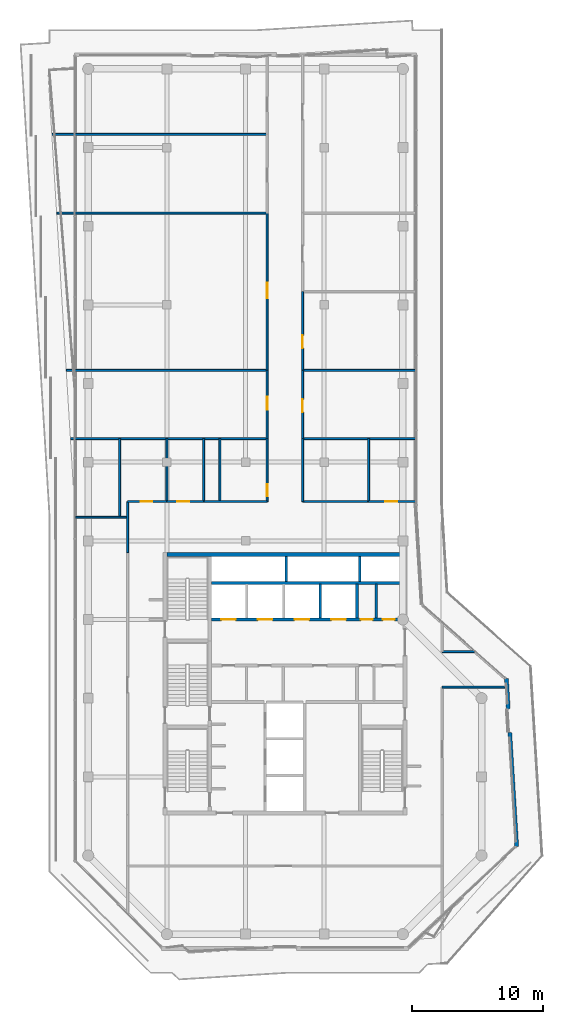
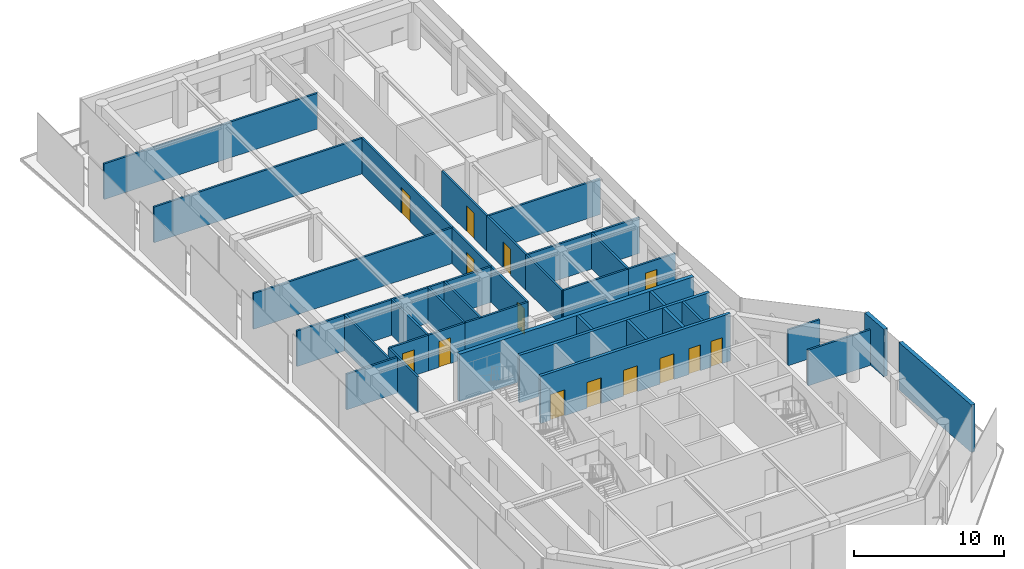
# One storey, part 18 of 21: 36 walls, 14 doors, 14 openings.
"""IFC4 building model written with IfcOpenShell, lengths in metres."""

from ifc_helpers import new_model, si_unit, direction, frame, frame_2d, origin, place, context, subcontext, project, spatial, rectangle, extrude, material, layer, layer_set, type_object, element, fill, save


model = new_model("IFC4")

# Units and contexts
model_context = context("Model", 3, precision=1e-05, world=origin(), true_north=direction((0.0, 1.0)))
body_context = subcontext(model_context, "Body", "Model", "MODEL_VIEW")
ifc_project = project(units=[si_unit("LENGTHUNIT", "METRE"), si_unit("AREAUNIT", "SQUARE_METRE"), si_unit("VOLUMEUNIT", "CUBIC_METRE"), si_unit("PLANEANGLEUNIT", "RADIAN"), si_unit("MASSUNIT", "GRAM", prefix="KILO")], contexts=[model_context])

# Site, building, storey
site_placement = place(None, origin())
site = spatial("IfcSite", under=ifc_project, at=site_placement, CompositionType="ELEMENT")
building_placement = place(site_placement, origin())
building = spatial("IfcBuilding", under=site, at=building_placement, Name="Welwitschia Terrace Campus", CompositionType="ELEMENT")
storey_placement = place(building_placement, frame((0.0, 0.0, 302.0)))
storey = spatial("IfcBuildingStorey", under=building, at=storey_placement, Name="L67", CompositionType="ELEMENT", Elevation=302.0)

# Wall
ifc_material_1 = material(Name="Concrete C32/40", Category="concrete")
ifc_layer_1 = layer(ifc_material_1, 0.175048828125)
ifc_layer_set_1 = layer_set([ifc_layer_1], Name="Concrete C32/40")
wall_type_1 = type_object("IfcWallType", Name="Core partition 175 Concrete C32/40", PredefinedType="PARTITIONING", material=ifc_layer_set_1)
wall_1_placement = place(storey_placement, frame((21.9599609375, 20.10009765625, 0.0), z_axis=(0.0, 0.0, 1.0), x_axis=(0.0, 1.0, 0.0)))
element("IfcWall", 1, at=wall_1_placement, inside=storey, type_object=wall_type_1, Name="Core partition", PredefinedType="PARTITIONING", context=body_context, shape_type="SweptSolid", body=[
    extrude(rectangle(XDim=2.599853515625, YDim=0.175048828125, at=frame_2d((1.2998046875, 0.0))), origin(), (0.0, 0.0, 1.0), 3.85009765625),
])

# Wall, openings, doors
ifc_material_2 = material(Name="Concrete C32/40", Category="concrete")
ifc_layer_2 = layer(ifc_material_2, 0.22509765625)
ifc_layer_set_2 = layer_set([ifc_layer_2], Name="Concrete C32/40")
wall_type_2 = type_object("IfcWallType", Name="Core partition 225 Concrete C32/40", PredefinedType="PARTITIONING", material=ifc_layer_set_2)
wall_2_placement = place(storey_placement, frame((24.0, 20.0, 0.0), z_axis=(0.0, 0.0, 1.0), x_axis=(-1.0, 0.0, 0.0)))
wall_2 = element("IfcWall", 2, at=wall_2_placement, inside=storey, type_object=wall_type_2, Name="Shaft wall", PredefinedType="PARTITIONING", context=body_context, shape_type="SweptSolid", body=[
    extrude(rectangle(XDim=14.60009765625, YDim=0.22509765625, at=frame_2d((7.300048828125, 0.0))), origin(), (0.0, 0.0, 1.0), 3.85009765625),
])
opening_1_placement = place(wall_2_placement, frame((12.75, 0.0, 0.0)))
opening_1 = element("IfcOpeningElement", 3, at=opening_1_placement, cuts=wall_2, Name="Opening LD", PredefinedType="OPENING", context=body_context, shape_type="SweptSolid", body=[
    extrude(rectangle(XDim=1.10009765625, YDim=2.10009765625, at=frame_2d((0.550048828125, 1.050048828125))), frame((0.0, 0.12255859375, 0.0), z_axis=(0.0, -1.0, 0.0), x_axis=(1.0, 0.0, 0.0)), (0.0, 0.0, 1.0), 0.2451171875),
])
opening_2_placement = place(wall_2_placement, frame((9.949951171875, 0.0, 0.0)))
opening_2 = element("IfcOpeningElement", 4, at=opening_2_placement, cuts=wall_2, Name="Opening LD", PredefinedType="OPENING", context=body_context, shape_type="SweptSolid", body=[
    extrude(rectangle(XDim=1.10009765625, YDim=2.10009765625, at=frame_2d((0.550048828125, 1.050048828125))), frame((0.0, 0.12255859375, 0.0), z_axis=(0.0, -1.0, 0.0), x_axis=(1.0, 0.0, 0.0)), (0.0, 0.0, 1.0), 0.2451171875),
])
opening_3_placement = place(wall_2_placement, frame((7.14990234375, 0.0, 0.0)))
opening_3 = element("IfcOpeningElement", 5, at=opening_3_placement, cuts=wall_2, Name="Opening LD", PredefinedType="OPENING", context=body_context, shape_type="SweptSolid", body=[
    extrude(rectangle(XDim=1.10009765625, YDim=2.10009765625, at=frame_2d((0.550048828125, 1.050048828125))), frame((0.0, 0.12255859375, 0.0), z_axis=(0.0, -1.0, 0.0), x_axis=(1.0, 0.0, 0.0)), (0.0, 0.0, 1.0), 0.2451171875),
])
opening_4_placement = place(wall_2_placement, frame((4.35009765625, 0.0, 0.0)))
opening_4 = element("IfcOpeningElement", 6, at=opening_4_placement, cuts=wall_2, Name="Opening LD", PredefinedType="OPENING", context=body_context, shape_type="SweptSolid", body=[
    extrude(rectangle(XDim=1.10009765625, YDim=2.10009765625, at=frame_2d((0.550048828125, 1.050048828125))), frame((0.0, 0.12255859375, 0.0), z_axis=(0.0, -1.0, 0.0), x_axis=(1.0, 0.0, 0.0)), (0.0, 0.0, 1.0), 0.2451171875),
])
opening_5_placement = place(wall_2_placement, frame((2.3076171875, 0.0, 0.0)))
opening_5 = element("IfcOpeningElement", 7, at=opening_5_placement, cuts=wall_2, Name="Opening DR09", PredefinedType="OPENING", context=body_context, shape_type="SweptSolid", body=[
    extrude(rectangle(XDim=0.89990234375, YDim=2.10009765625, at=frame_2d((0.449951171875, 1.050048828125))), frame((0.0, 0.12255859375, 0.0), z_axis=(0.0, -1.0, 0.0), x_axis=(1.0, 0.0, 0.0)), (0.0, 0.0, 1.0), 0.2451171875),
])
opening_6_placement = place(wall_2_placement, frame((0.633056640625, 0.0, 0.0)))
opening_6 = element("IfcOpeningElement", 8, at=opening_6_placement, cuts=wall_2, Name="Opening DR09", PredefinedType="OPENING", context=body_context, shape_type="SweptSolid", body=[
    extrude(rectangle(XDim=0.89990234375, YDim=2.10009765625, at=frame_2d((0.449951171875, 1.050048828125))), frame((0.0, 0.12255859375, 0.0), z_axis=(0.0, -1.0, 0.0), x_axis=(1.0, 0.0, 0.0)), (0.0, 0.0, 1.0), 0.2451171875),
])
ifc_material_3 = material(Name="Steel S275", Category="steel")
door_type_1 = type_object("IfcDoorType", Name="Core door DR09", OperationType="SINGLE_SWING_LEFT", PredefinedType="DOOR", material=ifc_material_3)
door_1_placement = place(opening_5_placement, origin())
door_1 = element("IfcDoor", 9, at=door_1_placement, inside=storey, type_object=door_type_1, Name="Door EH1-D", OperationType="SINGLE_SWING_LEFT", OverallHeight=2.10009765625, OverallWidth=0.89990234375, PredefinedType="DOOR", context=body_context, shape_type="SweptSolid", body=[
    extrude(rectangle(XDim=0.89990234375, YDim=2.10009765625, at=frame_2d((0.449951171875, 1.050048828125))), frame((0.0, 0.02490234375, 0.0), z_axis=(0.0, -1.0, 0.0), x_axis=(1.0, 0.0, 0.0)), (0.0, 0.0, 1.0), 0.050048828125),
])
fill(opening_5, door_1)
door_2_placement = place(opening_6_placement, origin())
door_2 = element("IfcDoor", 10, at=door_2_placement, inside=storey, type_object=door_type_1, Name="Door EH2-D", OperationType="SINGLE_SWING_LEFT", OverallHeight=2.10009765625, OverallWidth=0.89990234375, PredefinedType="DOOR", context=body_context, shape_type="SweptSolid", body=[
    extrude(rectangle(XDim=0.89990234375, YDim=2.10009765625, at=frame_2d((0.449951171875, 1.050048828125))), frame((0.0, 0.02490234375, 0.0), z_axis=(0.0, -1.0, 0.0), x_axis=(1.0, 0.0, 0.0)), (0.0, 0.0, 1.0), 0.050048828125),
])
fill(opening_6, door_2)
ifc_material_4 = material(Name="Stainless steel 304", Category="steel")
door_type_2 = type_object("IfcDoorType", Name="Lift landing door", OperationType="DOUBLE_DOOR_SLIDING", PredefinedType="DOOR", material=ifc_material_4)
door_3_placement = place(opening_1_placement, origin())
door_3 = element("IfcDoor", 11, at=door_3_placement, inside=storey, type_object=door_type_2, Name="Landing door HR1", OperationType="DOUBLE_DOOR_SLIDING", OverallHeight=2.10009765625, OverallWidth=1.10009765625, PredefinedType="DOOR", context=body_context, shape_type="SweptSolid", body=[
    extrude(rectangle(XDim=1.10009765625, YDim=2.10009765625, at=frame_2d((0.550048828125, 1.050048828125))), frame((0.0, 0.02490234375, 0.0), z_axis=(0.0, -1.0, 0.0), x_axis=(1.0, 0.0, 0.0)), (0.0, 0.0, 1.0), 0.050048828125),
])
fill(opening_1, door_3)
door_4_placement = place(opening_2_placement, origin())
door_4 = element("IfcDoor", 12, at=door_4_placement, inside=storey, type_object=door_type_2, Name="Landing door HR2", OperationType="DOUBLE_DOOR_SLIDING", OverallHeight=2.10009765625, OverallWidth=1.10009765625, PredefinedType="DOOR", context=body_context, shape_type="SweptSolid", body=[
    extrude(rectangle(XDim=1.10009765625, YDim=2.10009765625, at=frame_2d((0.550048828125, 1.050048828125))), frame((0.0, 0.02490234375, 0.0), z_axis=(0.0, -1.0, 0.0), x_axis=(1.0, 0.0, 0.0)), (0.0, 0.0, 1.0), 0.050048828125),
])
fill(opening_2, door_4)
door_5_placement = place(opening_3_placement, origin())
door_5 = element("IfcDoor", 13, at=door_5_placement, inside=storey, type_object=door_type_2, Name="Landing door HR3", OperationType="DOUBLE_DOOR_SLIDING", OverallHeight=2.10009765625, OverallWidth=1.10009765625, PredefinedType="DOOR", context=body_context, shape_type="SweptSolid", body=[
    extrude(rectangle(XDim=1.10009765625, YDim=2.10009765625, at=frame_2d((0.550048828125, 1.050048828125))), frame((0.0, 0.02490234375, 0.0), z_axis=(0.0, -1.0, 0.0), x_axis=(1.0, 0.0, 0.0)), (0.0, 0.0, 1.0), 0.050048828125),
])
fill(opening_3, door_5)
door_6_placement = place(opening_4_placement, origin())
door_6 = element("IfcDoor", 14, at=door_6_placement, inside=storey, type_object=door_type_2, Name="Landing door HR4", OperationType="DOUBLE_DOOR_SLIDING", OverallHeight=2.10009765625, OverallWidth=1.10009765625, PredefinedType="DOOR", context=body_context, shape_type="SweptSolid", body=[
    extrude(rectangle(XDim=1.10009765625, YDim=2.10009765625, at=frame_2d((0.550048828125, 1.050048828125))), frame((0.0, 0.02490234375, 0.0), z_axis=(0.0, -1.0, 0.0), x_axis=(1.0, 0.0, 0.0)), (0.0, 0.0, 1.0), 0.050048828125),
])
fill(opening_4, door_6)

# Walls
wall_3_placement = place(storey_placement, frame((9.39990234375, 22.800048828125, 0.0), z_axis=(0.0, 0.0, 1.0), x_axis=(1.0, 0.0, 0.0)))
element("IfcWall", 15, at=wall_3_placement, inside=storey, type_object=wall_type_2, Name="Shaft wall", PredefinedType="PARTITIONING", context=body_context, shape_type="SweptSolid", body=[
    extrude(rectangle(XDim=14.60009765625, YDim=0.22509765625, at=frame_2d((7.300048828125, 0.0))), origin(), (0.0, 0.0, 1.0), 3.85009765625),
])
wall_4_placement = place(storey_placement, frame((20.5, 20.10009765625, 0.0), z_axis=(0.0, 0.0, 1.0), x_axis=(0.0, 1.0, 0.0)))
element("IfcWall", 16, at=wall_4_placement, inside=storey, type_object=wall_type_2, Name="Shaft wall", PredefinedType="PARTITIONING", context=body_context, shape_type="SweptSolid", body=[
    extrude(rectangle(XDim=2.599853515625, YDim=0.22509765625, at=frame_2d((1.2998046875, 0.0))), origin(), (0.0, 0.0, 1.0), 3.85009765625),
])
ifc_material_5 = material(Name="Concrete C50/60", Category="concrete")
ifc_layer_3 = layer(ifc_material_5, 0.199951171875)
ifc_layer_set_3 = layer_set([ifc_layer_3], Name="Concrete C50/60")
wall_type_3 = type_object("IfcWallType", Name="Core wall 200 Concrete C50/60", PredefinedType="SHEAR", material=ifc_layer_set_3)
for number, where, z_axis, x_axis, name in (
    (17, (15.10009765625, 22.89990234375, 0.0), (0.0, 0.0, 1.0), (0.0, 1.0, 0.0), "Core wall"),
    (18, (20.699951171875, 22.89990234375, 0.0), (0.0, 0.0, 1.0), (0.0, 1.0, 0.0), "Core wall"),
):
    element("IfcWall", number, at=place(storey_placement, frame(where, z_axis=z_axis, x_axis=x_axis)), inside=storey, type_object=wall_type_3, Name=name, PredefinedType="SHEAR", context=body_context, shape_type="SweptSolid", body=[
        extrude(rectangle(XDim=1.900146484375, YDim=0.199951171875, at=frame_2d((0.9501953125, 0.0))), origin(), (0.0, 0.0, 1.0), 3.85009765625),
    ])
ifc_material_6 = material(Name="Concrete C50/60", Category="concrete")
ifc_layer_4 = layer(ifc_material_6, 0.300048828125)
ifc_layer_set_4 = layer_set([ifc_layer_4], Name="Concrete C50/60")
wall_type_4 = type_object("IfcWallType", Name="Core wall 300 Concrete C50/60", PredefinedType="SHEAR", material=ifc_layer_set_4)
wall_5_placement = place(storey_placement, frame((6.0, 24.949951171875, 0.0), z_axis=(0.0, 0.0, 1.0), x_axis=(1.0, 0.0, 0.0)))
element("IfcWall", 19, at=wall_5_placement, inside=storey, type_object=wall_type_4, Name="Core outer wall", PredefinedType="SHEAR", context=body_context, shape_type="SweptSolid", body=[
    extrude(rectangle(XDim=18.0, YDim=0.300048828125, at=frame_2d((9.0, 0.0))), origin(), (0.0, 0.0, 1.0), 3.85009765625),
])
ifc_material_7 = material(Name="Gypsum board on steel studs", Category="steel")
ifc_layer_5 = layer(ifc_material_7, 0.14990234375)
ifc_layer_set_5 = layer_set([ifc_layer_5], Name="Gypsum board on steel studs")
wall_type_5 = type_object("IfcWallType", Name="Corridor partition 150 EI 30", PredefinedType="PARTITIONING", material=ifc_layer_set_5)
wall_6_placement = place(storey_placement, frame((-2.760009765625, 57.0, 0.0), z_axis=(0.0, 0.0, 1.0), x_axis=(1.0, 0.0, 0.0)))
element("IfcWall", 20, at=wall_6_placement, inside=storey, type_object=wall_type_5, Name="Partition", PredefinedType="PARTITIONING", context=body_context, shape_type="SweptSolid", body=[
    extrude(rectangle(XDim=16.409912109375, YDim=0.14990234375, at=frame_2d((8.205078125, 0.0))), origin(), (0.0, 0.0, 1.0), 2.89990234375),
])
wall_7_placement = place(storey_placement, frame((-2.389892578125, 51.0, 0.0), z_axis=(0.0, 0.0, 1.0), x_axis=(1.0, 0.0, 0.0)))
element("IfcWall", 21, at=wall_7_placement, inside=storey, type_object=wall_type_5, Name="Partition", PredefinedType="PARTITIONING", context=body_context, shape_type="SweptSolid", body=[
    extrude(rectangle(XDim=16.039794921875, YDim=0.14990234375, at=frame_2d((8.02001953125, 0.0))), origin(), (0.0, 0.0, 1.0), 2.89990234375),
])
wall_8_placement = place(storey_placement, frame((-1.659912109375, 39.0, 0.0), z_axis=(0.0, 0.0, 1.0), x_axis=(1.0, 0.0, 0.0)))
element("IfcWall", 22, at=wall_8_placement, inside=storey, type_object=wall_type_5, Name="Partition", PredefinedType="PARTITIONING", context=body_context, shape_type="SweptSolid", body=[
    extrude(rectangle(XDim=15.309814453125, YDim=0.14990234375, at=frame_2d((7.65478515625, 0.0))), origin(), (0.0, 0.0, 1.0), 2.89990234375),
])
wall_9_placement = place(storey_placement, frame((-1.340087890625, 33.800048828125, 0.0), z_axis=(0.0, 0.0, 1.0), x_axis=(1.0, 0.0, 0.0)))
element("IfcWall", 23, at=wall_9_placement, inside=storey, type_object=wall_type_5, Name="Partition", PredefinedType="PARTITIONING", context=body_context, shape_type="SweptSolid", body=[
    extrude(rectangle(XDim=14.989990234375, YDim=0.14990234375, at=frame_2d((7.4951171875, 0.0))), origin(), (0.0, 0.0, 1.0), 2.89990234375),
])
wall_10_placement = place(storey_placement, frame((-0.97998046875, 27.800048828125, 0.0), z_axis=(0.0, 0.0, 1.0), x_axis=(1.0, 0.0, 0.0)))
element("IfcWall", 24, at=wall_10_placement, inside=storey, type_object=wall_type_5, Name="Partition", PredefinedType="PARTITIONING", context=body_context, shape_type="SweptSolid", body=[
    extrude(rectangle(XDim=3.97998046875, YDim=0.14990234375, at=frame_2d((1.989990234375, 0.0))), origin(), (0.0, 0.0, 1.0), 2.89990234375),
])
wall_11_placement = place(storey_placement, frame((2.39990234375, 27.800048828125, 0.0), z_axis=(0.0, 0.0, 1.0), x_axis=(0.0, 1.0, 0.0)))
element("IfcWall", 25, at=wall_11_placement, inside=storey, type_object=wall_type_5, Name="Partition", PredefinedType="PARTITIONING", context=body_context, shape_type="SweptSolid", body=[
    extrude(rectangle(XDim=6.0, YDim=0.14990234375, at=frame_2d((3.0, 0.0))), origin(), (0.0, 0.0, 1.0), 2.89990234375),
])
wall_12_placement = place(storey_placement, frame((3.0, 25.10009765625, 0.0), z_axis=(0.0, 0.0, 1.0), x_axis=(0.0, 1.0, 0.0)))
element("IfcWall", 26, at=wall_12_placement, inside=storey, type_object=wall_type_5, Name="Partition", PredefinedType="PARTITIONING", context=body_context, shape_type="SweptSolid", body=[
    extrude(rectangle(XDim=3.89990234375, YDim=0.14990234375, at=frame_2d((1.949951171875, 0.0))), origin(), (0.0, 0.0, 1.0), 2.89990234375),
])

# Wall, opening, door
wall_13_placement = place(storey_placement, frame((3.0, 29.0, 0.0), z_axis=(0.0, 0.0, 1.0), x_axis=(1.0, 0.0, 0.0)))
wall_13 = element("IfcWall", 27, at=wall_13_placement, inside=storey, type_object=wall_type_5, Name="Partition", PredefinedType="PARTITIONING", context=body_context, shape_type="SweptSolid", body=[
    extrude(rectangle(XDim=3.0, YDim=0.14990234375, at=frame_2d((1.5, 0.0))), origin(), (0.0, 0.0, 1.0), 2.89990234375),
])
opening_7_placement = place(wall_13_placement, frame((1.0, 0.0, 0.0)))
opening_7 = element("IfcOpeningElement", 28, at=opening_7_placement, cuts=wall_13, Name="Opening DI09", PredefinedType="OPENING", context=body_context, shape_type="SweptSolid", body=[
    extrude(rectangle(XDim=0.89990234375, YDim=2.10009765625, at=frame_2d((0.449951171875, 1.050048828125))), frame((0.0, 0.0849609375, 0.0), z_axis=(0.0, -1.0, 0.0), x_axis=(1.0, 0.0, 0.0)), (0.0, 0.0, 1.0), 0.169921875),
])
ifc_material_8 = material(Name="Timber veneered door", Category="wood")
door_type_3 = type_object("IfcDoorType", Name="Interior door DI09", OperationType="NOTDEFINED", PredefinedType="DOOR", material=ifc_material_8)
door_7_placement = place(opening_7_placement, origin())
door_7 = element("IfcDoor", 29, at=door_7_placement, inside=storey, type_object=door_type_3, Name="Door L67 1185", OperationType="SINGLE_SWING_RIGHT", OverallHeight=2.10009765625, OverallWidth=0.89990234375, PredefinedType="DOOR", context=body_context, shape_type="SweptSolid", body=[
    extrude(rectangle(XDim=0.89990234375, YDim=2.10009765625, at=frame_2d((0.449951171875, 1.050048828125))), frame((0.0, 0.02490234375, 0.0), z_axis=(0.0, -1.0, 0.0), x_axis=(1.0, 0.0, 0.0)), (0.0, 0.0, 1.0), 0.050048828125),
])
fill(opening_7, door_7)

# Wall
wall_14_placement = place(storey_placement, frame((6.0, 29.0, 0.0), z_axis=(0.0, 0.0, 1.0), x_axis=(0.0, 1.0, 0.0)))
element("IfcWall", 30, at=wall_14_placement, inside=storey, type_object=wall_type_5, Name="Partition", PredefinedType="PARTITIONING", context=body_context, shape_type="SweptSolid", body=[
    extrude(rectangle(XDim=4.800048828125, YDim=0.14990234375, at=frame_2d((2.39990234375, 0.0))), origin(), (0.0, 0.0, 1.0), 2.89990234375),
])

# Wall, opening, door
wall_15_placement = place(storey_placement, frame((6.0, 29.0, 0.0), z_axis=(0.0, 0.0, 1.0), x_axis=(1.0, 0.0, 0.0)))
wall_15 = element("IfcWall", 31, at=wall_15_placement, inside=storey, type_object=wall_type_5, Name="Partition", PredefinedType="PARTITIONING", context=body_context, shape_type="SweptSolid", body=[
    extrude(rectangle(XDim=2.800048828125, YDim=0.14990234375, at=frame_2d((1.39990234375, 0.0))), origin(), (0.0, 0.0, 1.0), 2.89990234375),
])
opening_8_placement = place(wall_15_placement, frame((0.800048828125, 0.0, 0.0)))
opening_8 = element("IfcOpeningElement", 32, at=opening_8_placement, cuts=wall_15, Name="Opening DI09", PredefinedType="OPENING", context=body_context, shape_type="SweptSolid", body=[
    extrude(rectangle(XDim=0.89990234375, YDim=2.10009765625, at=frame_2d((0.449951171875, 1.050048828125))), frame((0.0, 0.0849609375, 0.0), z_axis=(0.0, -1.0, 0.0), x_axis=(1.0, 0.0, 0.0)), (0.0, 0.0, 1.0), 0.169921875),
])
door_8_placement = place(opening_8_placement, origin())
door_8 = element("IfcDoor", 33, at=door_8_placement, inside=storey, type_object=door_type_3, Name="Door L67 1186", OperationType="SINGLE_SWING_LEFT", OverallHeight=2.10009765625, OverallWidth=0.89990234375, PredefinedType="DOOR", context=body_context, shape_type="SweptSolid", body=[
    extrude(rectangle(XDim=0.89990234375, YDim=2.10009765625, at=frame_2d((0.449951171875, 1.050048828125))), frame((0.0, 0.02490234375, 0.0), z_axis=(0.0, -1.0, 0.0), x_axis=(1.0, 0.0, 0.0)), (0.0, 0.0, 1.0), 0.050048828125),
])
fill(opening_8, door_8)

# Walls
wall_16_placement = place(storey_placement, frame((8.800048828125, 29.0, 0.0), z_axis=(0.0, 0.0, 1.0), x_axis=(0.0, 1.0, 0.0)))
element("IfcWall", 34, at=wall_16_placement, inside=storey, type_object=wall_type_5, Name="Partition", PredefinedType="PARTITIONING", context=body_context, shape_type="SweptSolid", body=[
    extrude(rectangle(XDim=4.800048828125, YDim=0.14990234375, at=frame_2d((2.39990234375, 0.0))), origin(), (0.0, 0.0, 1.0), 2.89990234375),
])
wall_17_placement = place(storey_placement, frame((8.800048828125, 29.0, 0.0), z_axis=(0.0, 0.0, 1.0), x_axis=(1.0, 0.0, 0.0)))
element("IfcWall", 35, at=wall_17_placement, inside=storey, type_object=wall_type_5, Name="Partition", PredefinedType="PARTITIONING", context=body_context, shape_type="SweptSolid", body=[
    extrude(rectangle(XDim=4.849853515625, YDim=0.14990234375, at=frame_2d((2.4248046875, 0.0))), origin(), (0.0, 0.0, 1.0), 2.89990234375),
])
wall_18_placement = place(storey_placement, frame((10.050048828125, 29.0, 0.0), z_axis=(0.0, 0.0, 1.0), x_axis=(0.0, 1.0, 0.0)))
element("IfcWall", 36, at=wall_18_placement, inside=storey, type_object=wall_type_5, Name="Partition", PredefinedType="PARTITIONING", context=body_context, shape_type="SweptSolid", body=[
    extrude(rectangle(XDim=4.800048828125, YDim=0.14990234375, at=frame_2d((2.39990234375, 0.0))), origin(), (0.0, 0.0, 1.0), 2.89990234375),
])

# Wall, opening, door
wall_19_placement = place(storey_placement, frame((13.64990234375, 29.0, 0.0), z_axis=(0.0, 0.0, 1.0), x_axis=(0.0, 1.0, 0.0)))
wall_19 = element("IfcWall", 37, at=wall_19_placement, inside=storey, type_object=wall_type_5, Name="Partition", PredefinedType="PARTITIONING", context=body_context, shape_type="SweptSolid", body=[
    extrude(rectangle(XDim=4.800048828125, YDim=0.14990234375, at=frame_2d((2.39990234375, 0.0))), origin(), (0.0, 0.0, 1.0), 2.89990234375),
])
opening_9_placement = place(wall_19_placement, frame((0.39990234375, 0.0, 0.0)))
opening_9 = element("IfcOpeningElement", 38, at=opening_9_placement, cuts=wall_19, Name="Opening DI09", PredefinedType="OPENING", context=body_context, shape_type="SweptSolid", body=[
    extrude(rectangle(XDim=0.89990234375, YDim=2.10009765625, at=frame_2d((0.449951171875, 1.050048828125))), frame((0.0, 0.0849609375, 0.0), z_axis=(0.0, -1.0, 0.0), x_axis=(1.0, 0.0, 0.0)), (0.0, 0.0, 1.0), 0.169921875),
])
door_9_placement = place(opening_9_placement, origin())
door_9 = element("IfcDoor", 39, at=door_9_placement, inside=storey, type_object=door_type_3, Name="Door L67 1187", OperationType="SINGLE_SWING_RIGHT", OverallHeight=2.10009765625, OverallWidth=0.89990234375, PredefinedType="DOOR", context=body_context, shape_type="SweptSolid", body=[
    extrude(rectangle(XDim=0.89990234375, YDim=2.10009765625, at=frame_2d((0.449951171875, 1.050048828125))), frame((0.0, 0.02490234375, 0.0), z_axis=(0.0, -1.0, 0.0), x_axis=(1.0, 0.0, 0.0)), (0.0, 0.0, 1.0), 0.050048828125),
])
fill(opening_9, door_9)

wall_20_placement = place(storey_placement, frame((13.64990234375, 33.800048828125, 0.0), z_axis=(0.0, 0.0, 1.0), x_axis=(0.0, 1.0, 0.0)))
wall_20 = element("IfcWall", 40, at=wall_20_placement, inside=storey, type_object=wall_type_5, Name="Partition", PredefinedType="PARTITIONING", context=body_context, shape_type="SweptSolid", body=[
    extrude(rectangle(XDim=5.199951171875, YDim=0.14990234375, at=frame_2d((2.60009765625, 0.0))), origin(), (0.0, 0.0, 1.0), 2.89990234375),
])
opening_10_placement = place(wall_20_placement, frame((2.199951171875, 0.0, 0.0)))
opening_10 = element("IfcOpeningElement", 41, at=opening_10_placement, cuts=wall_20, Name="Opening DI10", PredefinedType="OPENING", context=body_context, shape_type="SweptSolid", body=[
    extrude(rectangle(XDim=1.0, YDim=2.10009765625, at=frame_2d((0.5, 1.050048828125))), frame((0.0, 0.0849609375, 0.0), z_axis=(0.0, -1.0, 0.0), x_axis=(1.0, 0.0, 0.0)), (0.0, 0.0, 1.0), 0.169921875),
])
ifc_material_9 = material(Name="Timber veneered door", Category="wood")
door_type_4 = type_object("IfcDoorType", Name="Interior door DI10", OperationType="NOTDEFINED", PredefinedType="DOOR", material=ifc_material_9)
door_10_placement = place(opening_10_placement, origin())
door_10 = element("IfcDoor", 42, at=door_10_placement, inside=storey, type_object=door_type_4, Name="Door L67 1188", OperationType="SINGLE_SWING_LEFT", OverallHeight=2.10009765625, OverallWidth=1.0, PredefinedType="DOOR", context=body_context, shape_type="SweptSolid", body=[
    extrude(rectangle(XDim=1.0, YDim=2.10009765625, at=frame_2d((0.5, 1.050048828125))), frame((0.0, 0.02490234375, 0.0), z_axis=(0.0, -1.0, 0.0), x_axis=(1.0, 0.0, 0.0)), (0.0, 0.0, 1.0), 0.050048828125),
])
fill(opening_10, door_10)

wall_21_placement = place(storey_placement, frame((13.64990234375, 39.0, 0.0), z_axis=(0.0, 0.0, 1.0), x_axis=(0.0, 1.0, 0.0)))
wall_21 = element("IfcWall", 43, at=wall_21_placement, inside=storey, type_object=wall_type_5, Name="Partition", PredefinedType="PARTITIONING", context=body_context, shape_type="SweptSolid", body=[
    extrude(rectangle(XDim=12.0, YDim=0.14990234375, at=frame_2d((6.0, 0.0))), origin(), (0.0, 0.0, 1.0), 2.89990234375),
])
opening_11_placement = place(wall_21_placement, frame((5.5, 0.0, 0.0)))
opening_11 = element("IfcOpeningElement", 44, at=opening_11_placement, cuts=wall_21, Name="Opening DI12", PredefinedType="OPENING", context=body_context, shape_type="SweptSolid", body=[
    extrude(rectangle(XDim=1.199951171875, YDim=2.10009765625, at=frame_2d((0.60009765625, 1.050048828125))), frame((0.0, 0.0849609375, 0.0), z_axis=(0.0, -1.0, 0.0), x_axis=(1.0, 0.0, 0.0)), (0.0, 0.0, 1.0), 0.169921875),
])
ifc_material_10 = material(Name="Timber veneered door", Category="wood")
door_type_5 = type_object("IfcDoorType", Name="Interior door DI12", OperationType="NOTDEFINED", PredefinedType="DOOR", material=ifc_material_10)
door_11_placement = place(opening_11_placement, origin())
door_11 = element("IfcDoor", 45, at=door_11_placement, inside=storey, type_object=door_type_5, Name="Door L67 1189", OperationType="SINGLE_SWING_RIGHT", OverallHeight=2.10009765625, OverallWidth=1.199951171875, PredefinedType="DOOR", context=body_context, shape_type="SweptSolid", body=[
    extrude(rectangle(XDim=1.199951171875, YDim=2.10009765625, at=frame_2d((0.60009765625, 1.050048828125))), frame((0.0, 0.02490234375, 0.0), z_axis=(0.0, -1.0, 0.0), x_axis=(1.0, 0.0, 0.0)), (0.0, 0.0, 1.0), 0.050048828125),
])
fill(opening_11, door_11)

# Walls
wall_22_placement = place(storey_placement, frame((16.35009765625, 29.0, 0.0), z_axis=(0.0, 0.0, 1.0), x_axis=(0.0, 1.0, 0.0)))
element("IfcWall", 46, at=wall_22_placement, inside=storey, type_object=wall_type_5, Name="Partition", PredefinedType="PARTITIONING", context=body_context, shape_type="SweptSolid", body=[
    extrude(rectangle(XDim=4.800048828125, YDim=0.14990234375, at=frame_2d((2.39990234375, 0.0))), origin(), (0.0, 0.0, 1.0), 2.89990234375),
])
wall_23_placement = place(storey_placement, frame((16.35009765625, 29.0, 0.0), z_axis=(0.0, 0.0, 1.0), x_axis=(1.0, 0.0, 0.0)))
element("IfcWall", 47, at=wall_23_placement, inside=storey, type_object=wall_type_5, Name="Partition", PredefinedType="PARTITIONING", context=body_context, shape_type="SweptSolid", body=[
    extrude(rectangle(XDim=5.02978515625, YDim=0.14990234375, at=frame_2d((2.514892578125, 0.0))), origin(), (0.0, 0.0, 1.0), 2.89990234375),
])
wall_24_placement = place(storey_placement, frame((16.35009765625, 33.800048828125, 0.0), z_axis=(0.0, 0.0, 1.0), x_axis=(1.0, 0.0, 0.0)))
element("IfcWall", 48, at=wall_24_placement, inside=storey, type_object=wall_type_5, Name="Partition", PredefinedType="PARTITIONING", context=body_context, shape_type="SweptSolid", body=[
    extrude(rectangle(XDim=8.6298828125, YDim=0.14990234375, at=frame_2d((4.31494140625, 0.0))), origin(), (0.0, 0.0, 1.0), 2.89990234375),
])

# Wall, opening, door
wall_25_placement = place(storey_placement, frame((16.35009765625, 39.0, 0.0), z_axis=(0.0, 0.0, 1.0), x_axis=(0.0, -1.0, 0.0)))
wall_25 = element("IfcWall", 49, at=wall_25_placement, inside=storey, type_object=wall_type_5, Name="Partition", PredefinedType="PARTITIONING", context=body_context, shape_type="SweptSolid", body=[
    extrude(rectangle(XDim=5.199951171875, YDim=0.14990234375, at=frame_2d((2.60009765625, 0.0))), origin(), (0.0, 0.0, 1.0), 2.89990234375),
])
opening_12_placement = place(wall_25_placement, frame((2.199951171875, 0.0, 0.0)))
opening_12 = element("IfcOpeningElement", 50, at=opening_12_placement, cuts=wall_25, Name="Opening DI10", PredefinedType="OPENING", context=body_context, shape_type="SweptSolid", body=[
    extrude(rectangle(XDim=1.0, YDim=2.10009765625, at=frame_2d((0.5, 1.050048828125))), frame((0.0, 0.0849609375, 0.0), z_axis=(0.0, -1.0, 0.0), x_axis=(1.0, 0.0, 0.0)), (0.0, 0.0, 1.0), 0.169921875),
])
door_12_placement = place(opening_12_placement, origin())
door_12 = element("IfcDoor", 51, at=door_12_placement, inside=storey, type_object=door_type_4, Name="Door L67 1192", OperationType="SINGLE_SWING_LEFT", OverallHeight=2.10009765625, OverallWidth=1.0, PredefinedType="DOOR", context=body_context, shape_type="SweptSolid", body=[
    extrude(rectangle(XDim=1.0, YDim=2.10009765625, at=frame_2d((0.5, 1.050048828125))), frame((0.0, 0.02490234375, 0.0), z_axis=(0.0, -1.0, 0.0), x_axis=(1.0, 0.0, 0.0)), (0.0, 0.0, 1.0), 0.050048828125),
])
fill(opening_12, door_12)

# Wall
wall_26_placement = place(storey_placement, frame((16.35009765625, 39.0, 0.0), z_axis=(0.0, 0.0, 1.0), x_axis=(1.0, 0.0, 0.0)))
element("IfcWall", 52, at=wall_26_placement, inside=storey, type_object=wall_type_5, Name="Partition", PredefinedType="PARTITIONING", context=body_context, shape_type="SweptSolid", body=[
    extrude(rectangle(XDim=8.6298828125, YDim=0.14990234375, at=frame_2d((4.31494140625, 0.0))), origin(), (0.0, 0.0, 1.0), 2.89990234375),
])

# Wall, opening, door
wall_27_placement = place(storey_placement, frame((16.35009765625, 45.0, 0.0), z_axis=(0.0, 0.0, 1.0), x_axis=(0.0, -1.0, 0.0)))
wall_27 = element("IfcWall", 53, at=wall_27_placement, inside=storey, type_object=wall_type_5, Name="Partition", PredefinedType="PARTITIONING", context=body_context, shape_type="SweptSolid", body=[
    extrude(rectangle(XDim=6.0, YDim=0.14990234375, at=frame_2d((3.0, 0.0))), origin(), (0.0, 0.0, 1.0), 2.89990234375),
])
opening_13_placement = place(wall_27_placement, frame((3.300048828125, 0.0, 0.0)))
opening_13 = element("IfcOpeningElement", 54, at=opening_13_placement, cuts=wall_27, Name="Opening DI10", PredefinedType="OPENING", context=body_context, shape_type="SweptSolid", body=[
    extrude(rectangle(XDim=1.0, YDim=2.10009765625, at=frame_2d((0.5, 1.050048828125))), frame((0.0, 0.0849609375, 0.0), z_axis=(0.0, -1.0, 0.0), x_axis=(1.0, 0.0, 0.0)), (0.0, 0.0, 1.0), 0.169921875),
])
door_13_placement = place(opening_13_placement, origin())
door_13 = element("IfcDoor", 55, at=door_13_placement, inside=storey, type_object=door_type_4, Name="Door L67 1193", OperationType="SINGLE_SWING_RIGHT", OverallHeight=2.10009765625, OverallWidth=1.0, PredefinedType="DOOR", context=body_context, shape_type="SweptSolid", body=[
    extrude(rectangle(XDim=1.0, YDim=2.10009765625, at=frame_2d((0.5, 1.050048828125))), frame((0.0, 0.02490234375, 0.0), z_axis=(0.0, -1.0, 0.0), x_axis=(1.0, 0.0, 0.0)), (0.0, 0.0, 1.0), 0.050048828125),
])
fill(opening_13, door_13)

# Wall
wall_28_placement = place(storey_placement, frame((21.3798828125, 29.0, 0.0), z_axis=(0.0, 0.0, 1.0), x_axis=(0.0, 1.0, 0.0)))
element("IfcWall", 56, at=wall_28_placement, inside=storey, type_object=wall_type_5, Name="Partition", PredefinedType="PARTITIONING", context=body_context, shape_type="SweptSolid", body=[
    extrude(rectangle(XDim=4.800048828125, YDim=0.14990234375, at=frame_2d((2.39990234375, 0.0))), origin(), (0.0, 0.0, 1.0), 2.89990234375),
])

# Wall, opening, door
wall_29_placement = place(storey_placement, frame((21.3798828125, 29.0, 0.0), z_axis=(0.0, 0.0, 1.0), x_axis=(1.0, 0.0, 0.0)))
wall_29 = element("IfcWall", 57, at=wall_29_placement, inside=storey, type_object=wall_type_5, Name="Partition", PredefinedType="PARTITIONING", context=body_context, shape_type="SweptSolid", body=[
    extrude(rectangle(XDim=3.580078125, YDim=0.14990234375, at=frame_2d((1.7900390625, 0.0))), origin(), (0.0, 0.0, 1.0), 2.89990234375),
])
opening_14_placement = place(wall_29_placement, frame((1.280029296875, 0.0, 0.0)))
opening_14 = element("IfcOpeningElement", 58, at=opening_14_placement, cuts=wall_29, Name="Opening DI09", PredefinedType="OPENING", context=body_context, shape_type="SweptSolid", body=[
    extrude(rectangle(XDim=0.89990234375, YDim=2.10009765625, at=frame_2d((0.449951171875, 1.050048828125))), frame((0.0, 0.0849609375, 0.0), z_axis=(0.0, -1.0, 0.0), x_axis=(1.0, 0.0, 0.0)), (0.0, 0.0, 1.0), 0.169921875),
])
door_14_placement = place(opening_14_placement, origin())
door_14 = element("IfcDoor", 59, at=door_14_placement, inside=storey, type_object=door_type_3, Name="Door L67 1196", OperationType="SINGLE_SWING_LEFT", OverallHeight=2.10009765625, OverallWidth=0.89990234375, PredefinedType="DOOR", context=body_context, shape_type="SweptSolid", body=[
    extrude(rectangle(XDim=0.89990234375, YDim=2.10009765625, at=frame_2d((0.449951171875, 1.050048828125))), frame((0.0, 0.02490234375, 0.0), z_axis=(0.0, -1.0, 0.0), x_axis=(1.0, 0.0, 0.0)), (0.0, 0.0, 1.0), 0.050048828125),
])
fill(opening_14, door_14)

# Walls
wall_30_placement = place(storey_placement, frame((27.0, 14.85009765625, 0.0), z_axis=(0.0, 0.0, 1.0), x_axis=(1.0, 0.0, 0.0)))
element("IfcWall", 60, at=wall_30_placement, inside=storey, type_object=wall_type_5, Name="Partition", PredefinedType="PARTITIONING", context=body_context, shape_type="SweptSolid", body=[
    extrude(rectangle(XDim=4.949951171875, YDim=0.14990234375, at=frame_2d((2.47509765625, 0.0))), origin(), (0.0, 0.0, 1.0), 2.89990234375),
])
wall_31_placement = place(storey_placement, frame((27.0, 17.550048828125, 0.0), z_axis=(0.0, 0.0, 1.0), x_axis=(1.0, 0.0, 0.0)))
element("IfcWall", 61, at=wall_31_placement, inside=storey, type_object=wall_type_5, Name="Partition", PredefinedType="PARTITIONING", context=body_context, shape_type="SweptSolid", body=[
    extrude(rectangle(XDim=2.449951171875, YDim=0.14990234375, at=frame_2d((1.22509765625, 0.0))), origin(), (0.0, 0.0, 1.0), 2.89990234375),
])
ifc_material_11 = material(Name="Concrete C40/50", Category="concrete")
ifc_layer_6 = layer(ifc_material_11, 0.300048828125)
ifc_layer_set_6 = layer_set([ifc_layer_6], Name="Concrete C40/50")
wall_type_6 = type_object("IfcWallType", Name="Mass wall 300", PredefinedType="SOLIDWALL", material=ifc_layer_set_6)
wall_32_placement = place(storey_placement, frame((32.684814453125, 2.667724609375, 0.0), z_axis=(0.0, 0.0, 1.0), x_axis=(-0.061063491269, 0.998133883822, 0.0)))
element("IfcWall", 62, at=wall_32_placement, inside=storey, type_object=wall_type_6, Name="Mass wall L67.3.0", PredefinedType="SOLIDWALL", context=body_context, shape_type="SweptSolid", body=[
    extrude(rectangle(XDim=8.739990234375, YDim=0.300048828125, at=frame_2d((4.3701171875, 0.0))), origin(), (0.0, 0.0, 1.0), 3.85009765625),
])
wall_33_placement = place(storey_placement, frame((32.041259765625, 13.18798828125, 0.0), z_axis=(0.0, 0.0, 1.0), x_axis=(-0.060998486175, 0.998137858557, 0.0)))
element("IfcWall", 63, at=wall_33_placement, inside=storey, type_object=wall_type_6, Name="Mass wall L67.3.1", PredefinedType="SOLIDWALL", context=body_context, shape_type="SweptSolid", body=[
    extrude(rectangle(XDim=2.3134765625, YDim=0.300048828125, at=frame_2d((1.15673828125, 0.0))), origin(), (0.0, 0.0, 1.0), 3.85009765625),
])
ifc_material_12 = material(Name="Concrete C32/40", Category="concrete")
ifc_layer_7 = layer(ifc_material_12, 0.199951171875)
ifc_layer_set_7 = layer_set([ifc_layer_7], Name="Concrete C32/40")
wall_type_7 = type_object("IfcWallType", Name="Shaft wall 200 Concrete C32/40", PredefinedType="SOLIDWALL", material=ifc_layer_set_7)
wall_34_placement = place(storey_placement, frame((17.699951171875, 20.10009765625, 0.0), z_axis=(0.0, 0.0, 1.0), x_axis=(0.0, 1.0, 0.0)))
element("IfcWall", 64, at=wall_34_placement, inside=storey, type_object=wall_type_7, Name="Shaft wall", PredefinedType="SOLIDWALL", context=body_context, shape_type="SweptSolid", body=[
    extrude(rectangle(XDim=2.599853515625, YDim=0.199951171875, at=frame_2d((1.2998046875, 0.0))), origin(), (0.0, 0.0, 1.0), 3.85009765625),
])

save(model, "model.ifc")
